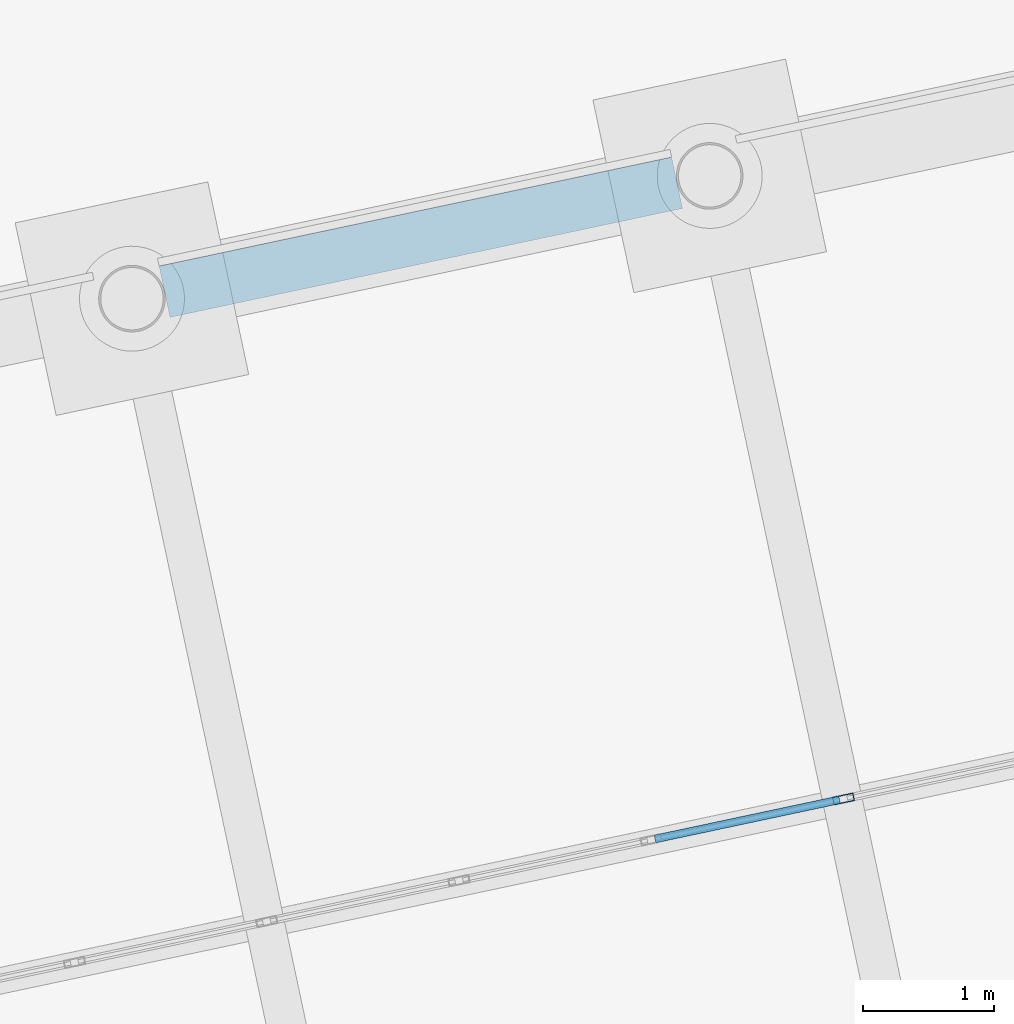
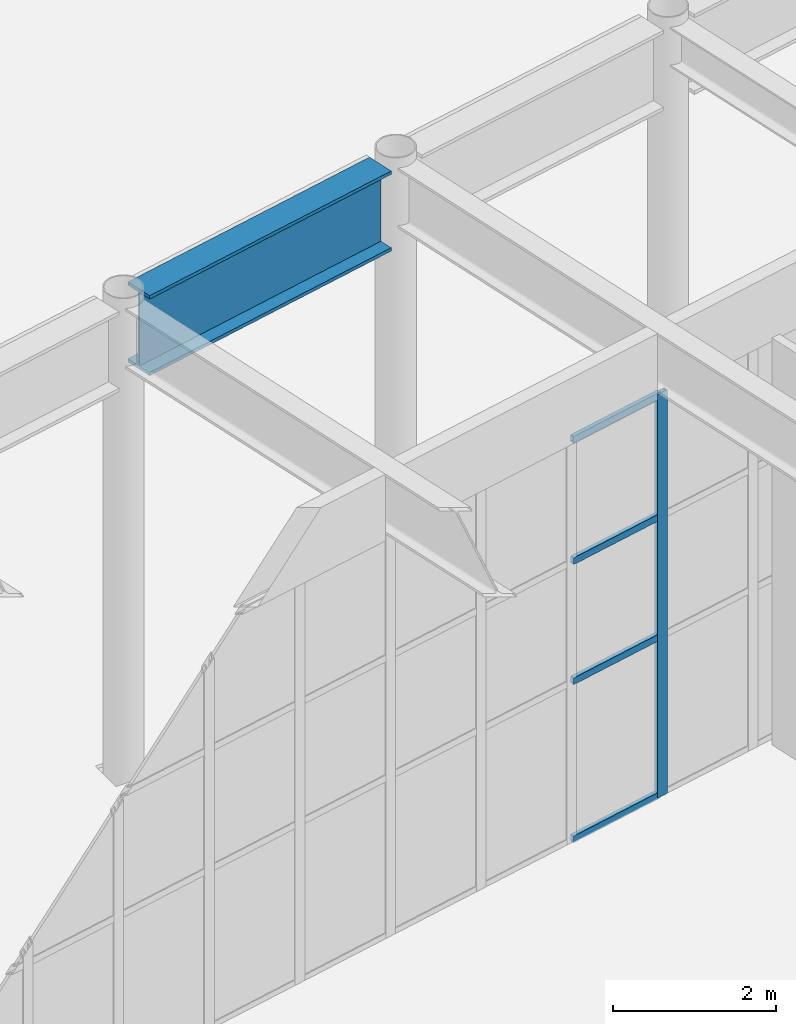
# One storey, part 74 of 239: 5 members, 1 beam, 1 element without a shape of its own.
"""IFC4 building model written with IfcOpenShell, lengths in metres."""

from ifc_helpers import new_model, si_unit, direction, frame, origin, origin_2d, place, context, subcontext, project, spatial, hollow_rectangle, i_section, extrude, material, material_profile, profile_set, type_object, element, aggregate, save


model = new_model("IFC4")

# Units and contexts
model_context = context("Model", 3, precision=1e-05, world=origin(), true_north=direction((0.0, 1.0)))
body_context = subcontext(model_context, "Body", "Model", "MODEL_VIEW")
ifc_project = project(units=[si_unit("LENGTHUNIT", "METRE"), si_unit("AREAUNIT", "SQUARE_METRE"), si_unit("VOLUMEUNIT", "CUBIC_METRE"), si_unit("PLANEANGLEUNIT", "RADIAN"), si_unit("MASSUNIT", "GRAM", prefix="KILO")], contexts=[model_context])

# Site, building, storey
site_placement = place(None, origin())
site = spatial("IfcSite", under=ifc_project, at=site_placement, CompositionType="ELEMENT")
building_placement = place(site_placement, origin())
building = spatial("IfcBuilding", under=site, at=building_placement, Name="Okhra Congress Centre", CompositionType="ELEMENT")
storey_placement = place(building_placement, origin())
storey = spatial("IfcBuildingStorey", under=building, at=storey_placement, Name="L00", CompositionType="ELEMENT", Elevation=0.0)

# Curtain wall, members
ifc_material_1 = material(Name="Aluminium curtain wall, triple glazing", Category="aluminium")
curtain_wall_type = type_object("IfcCurtainWallType", Name="Curtain wall 1500 module", PredefinedType="NOTDEFINED", material=ifc_material_1)
curtain_wall_placement = place(storey_placement, origin())
curtain_wall = element("IfcCurtainWall", 1, at=curtain_wall_placement, inside=storey, type_object=curtain_wall_type, Name="Ground curtain wall N8", PredefinedType="NOTDEFINED")
ifc_material_2 = material(Name="Aluminium alloy EN AW-6063 T66", Category="aluminium")
ifc_material_profile_1 = material_profile(ifc_material_2, hollow_rectangle(XDim=0.06005859375, YDim=0.159912109375, WallThickness=0.00390625, at=origin_2d()), Name="RHS 60x160x4")
ifc_profile_set_1 = profile_set([ifc_material_profile_1], Name="Aluminium alloy EN AW-6063 T66")
member_type_1 = type_object("IfcMemberType", Name="Curtain wall mullion 60x160", PredefinedType="MULLION", material=ifc_profile_set_1)
member_1_placement = place(storey_placement, frame((127.467041015625, 60.507568359375, 0.0), z_axis=(0.0, 0.0, 1.0), x_axis=(-0.207911690818, 0.978147600734, 0.0)))
member_1 = element("IfcMember", 2, at=member_1_placement, type_object=member_type_1, Name="CW7 mullion 13", PredefinedType="MULLION", context=body_context, shape_type="SweptSolid", body=[
    extrude(hollow_rectangle(XDim=0.06005859375, YDim=0.159912109375, WallThickness=0.00390625, at=origin_2d()), origin(), (0.0, 0.0, 1.0), 6.050048828125),
])
ifc_material_profile_2 = material_profile(ifc_material_2, hollow_rectangle(XDim=0.06005859375, YDim=0.10009765625, WallThickness=0.00390625, at=origin_2d()), Name="RHS 60x100x4")
ifc_profile_set_2 = profile_set([ifc_material_profile_2], Name="Aluminium alloy EN AW-6063 T66")
member_type_2 = type_object("IfcMemberType", Name="Curtain wall transom 60x100", PredefinedType="USERDEFINED", material=ifc_profile_set_2)
member_2_placement = place(storey_placement, frame((126.031494140625, 60.202392578125, 0.030029296875), z_axis=(0.978116961053, 0.208055786992, 0.0), x_axis=(-0.208055786992, 0.978116961053, 0.0)))
member_2 = element("IfcMember", 3, at=member_2_placement, type_object=member_type_2, Name="CW7 transom 12.1", ObjectType="TRANSOM", PredefinedType="USERDEFINED", context=body_context, shape_type="SweptSolid", body=[
    extrude(hollow_rectangle(XDim=0.06005859375, YDim=0.10009765625, WallThickness=0.00390625, at=origin_2d()), origin(), (0.0, 0.0, 1.0), 1.4375),
])
member_3_placement = place(storey_placement, frame((126.031494140625, 60.202392578125, 2.39990234375), z_axis=(0.978116961053, 0.208055786992, 0.0), x_axis=(-0.208055786992, 0.978116961053, 0.0)))
member_3 = element("IfcMember", 4, at=member_3_placement, type_object=member_type_2, Name="CW7 transom 12.2", ObjectType="TRANSOM", PredefinedType="USERDEFINED", context=body_context, shape_type="SweptSolid", body=[
    extrude(hollow_rectangle(XDim=0.06005859375, YDim=0.10009765625, WallThickness=0.00390625, at=origin_2d()), origin(), (0.0, 0.0, 1.0), 1.4375),
])
member_4_placement = place(storey_placement, frame((126.031494140625, 60.202392578125, 4.199951171875), z_axis=(0.978116961053, 0.208055786992, 0.0), x_axis=(-0.208055786992, 0.978116961053, 0.0)))
member_4 = element("IfcMember", 5, at=member_4_placement, type_object=member_type_2, Name="CW7 transom 12.3", ObjectType="TRANSOM", PredefinedType="USERDEFINED", context=body_context, shape_type="SweptSolid", body=[
    extrude(hollow_rectangle(XDim=0.06005859375, YDim=0.10009765625, WallThickness=0.00390625, at=origin_2d()), origin(), (0.0, 0.0, 1.0), 1.4375),
])
member_5_placement = place(storey_placement, frame((126.031494140625, 60.202392578125, 6.02001953125), z_axis=(0.978116961053, 0.208055786992, 0.0), x_axis=(-0.208055786992, 0.978116961053, 0.0)))
member_5 = element("IfcMember", 6, at=member_5_placement, type_object=member_type_2, Name="CW7 transom 12.4", ObjectType="TRANSOM", PredefinedType="USERDEFINED", context=body_context, shape_type="SweptSolid", body=[
    extrude(hollow_rectangle(XDim=0.06005859375, YDim=0.10009765625, WallThickness=0.00390625, at=origin_2d()), origin(), (0.0, 0.0, 1.0), 1.4375),
])
aggregate(curtain_wall, [member_1, member_2, member_3, member_4, member_5])

# Beam
ifc_material_3 = material(Name="Steel S355J2", Category="steel")
ifc_material_profile_3 = material_profile(ifc_material_3, i_section(OverallWidth=0.39990234375, OverallDepth=1.199951171875, WebThickness=0.02490234375, FlangeThickness=0.050048828125, at=origin_2d()), Name="Plate girder 1200x400")
ifc_profile_set_3 = profile_set([ifc_material_profile_3], Name="Steel S355J2")
beam_type = type_object("IfcBeamType", Name="Perimeter plate girder 1200x400", PredefinedType="BEAM", material=ifc_profile_set_3)
beam_placement = place(storey_placement, frame((122.29443359375, 64.37158203125, 6.449951171875), z_axis=(0.978142994281, 0.207933361295, 0.0), x_axis=(-0.207933361295, 0.978142994281, 0.0)))
element("IfcBeam", 7, at=beam_placement, inside=storey, type_object=beam_type, Name="Perimeter girder N13", PredefinedType="BEAM", context=body_context, shape_type="SweptSolid", body=[
    extrude(i_section(OverallWidth=0.39990234375, OverallDepth=1.199951171875, WebThickness=0.02490234375, FlangeThickness=0.050048828125, at=origin_2d()), origin(), (0.0, 0.0, 1.0), 3.991943359375),
])

save(model, "model.ifc")
